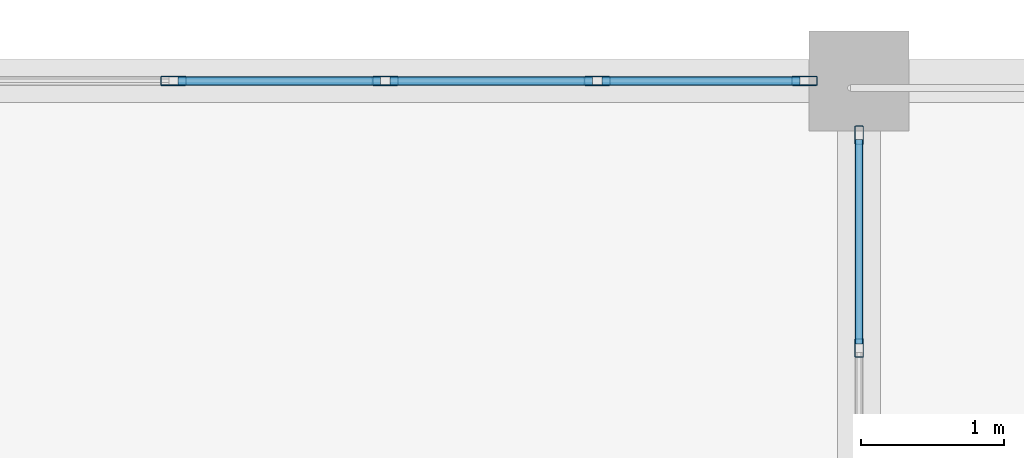
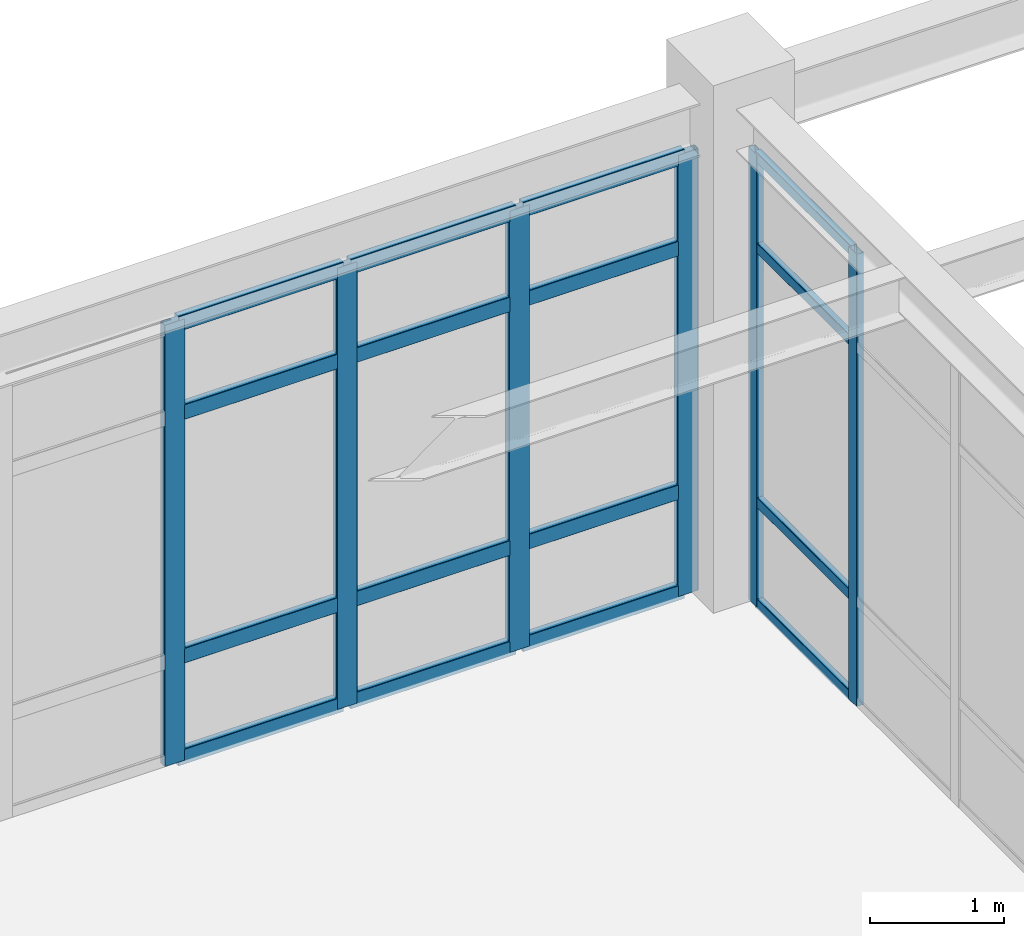
# One storey, part 66 of 98: 22 members, 2 elements without a shape of their own.
"""IFC4 building model written with IfcOpenShell, lengths in metres."""

from ifc_helpers import new_model, si_unit, direction, frame, origin, origin_2d, place, context, subcontext, project, spatial, hollow_rectangle, extrude, material, material_profile, profile_set, type_object, element, aggregate, save


model = new_model("IFC4")

# Units and contexts
model_context = context("Model", 3, precision=1e-05, world=origin(), true_north=direction((0.0, 1.0)))
body_context = subcontext(model_context, "Body", "Model", "MODEL_VIEW")
ifc_project = project(units=[si_unit("LENGTHUNIT", "METRE"), si_unit("AREAUNIT", "SQUARE_METRE"), si_unit("VOLUMEUNIT", "CUBIC_METRE"), si_unit("PLANEANGLEUNIT", "RADIAN"), si_unit("MASSUNIT", "GRAM", prefix="KILO")], contexts=[model_context])

# Site, building, storey
site_placement = place(None, origin())
site = spatial("IfcSite", under=ifc_project, at=site_placement, CompositionType="ELEMENT")
building_placement = place(site_placement, origin())
building = spatial("IfcBuilding", under=site, at=building_placement, Name="Canglan Escarpment Cableway Terminal", CompositionType="ELEMENT")
storey_placement = place(building_placement, frame((0.0, 0.0, 9.60009765625)))
storey = spatial("IfcBuildingStorey", under=building, at=storey_placement, Name="L02", CompositionType="ELEMENT", Elevation=9.60009765625)

# Curtain wall, members
ifc_material_1 = material(Name="Anodized bronze aluminium and Low-E double glazing", Category="aluminium")
curtain_wall_type_1 = type_object("IfcCurtainWallType", Name="CW-BAY-7600x4125", PredefinedType="NOTDEFINED", material=ifc_material_1)
curtain_wall_1_placement = place(storey_placement, origin())
curtain_wall_1 = element("IfcCurtainWall", 1, at=curtain_wall_1_placement, inside=storey, type_object=curtain_wall_type_1, Name="Classical bay-between-piers glazed curtain wall CW-23", PredefinedType="NOTDEFINED")
ifc_material_2 = material(Name="Thermally broken anodized aluminium 6063-T6", Category="aluminium")
ifc_material_profile_1 = material_profile(ifc_material_2, hollow_rectangle(XDim=0.06005859375, YDim=0.1298828125, WallThickness=0.0029296875, InnerFilletRadius=0.0029296875, OuterFilletRadius=0.006103515625, at=origin_2d()), Name="ALU-MULL 60x130x3")
ifc_profile_set_1 = profile_set([ifc_material_profile_1], Name="Thermally broken anodized aluminium 6063-T6")
member_type_1 = type_object("IfcMemberType", Name="CWM-01", PredefinedType="MULLION", material=ifc_profile_set_1)
member_1_placement = place(storey_placement, frame((166.39990234375, 31.22998046875, 0.0), z_axis=(0.0, 0.0, 1.0), x_axis=(-1.0, 0.0, 0.0)))
member_1 = element("IfcMember", 2, at=member_1_placement, type_object=member_type_1, Name="CW-23 mullion 5", PredefinedType="MULLION", context=body_context, shape_type="SweptSolid", body=[
    extrude(hollow_rectangle(XDim=0.06005859375, YDim=0.1298828125, WallThickness=0.0029296875, InnerFilletRadius=0.0029296875, OuterFilletRadius=0.006103515625, at=origin_2d()), origin(), (0.0, 0.0, 1.0), 4.114990234375),
])
member_2_placement = place(storey_placement, frame((166.39990234375, 32.719970703125, 0.0), z_axis=(0.0, 0.0, 1.0), x_axis=(-1.0, 0.0, 0.0)))
member_2 = element("IfcMember", 3, at=member_2_placement, type_object=member_type_1, Name="CW-23 mullion 6", PredefinedType="MULLION", context=body_context, shape_type="SweptSolid", body=[
    extrude(hollow_rectangle(XDim=0.06005859375, YDim=0.1298828125, WallThickness=0.0029296875, InnerFilletRadius=0.0029296875, OuterFilletRadius=0.006103515625, at=origin_2d()), origin(), (0.0, 0.0, 1.0), 4.114990234375),
])

curtain_wall_type_2 = type_object("IfcCurtainWallType", Name="CW-BAY-8900x4025", PredefinedType="NOTDEFINED", material=ifc_material_1)
curtain_wall_2_placement = place(storey_placement, origin())
curtain_wall_2 = element("IfcCurtainWall", 4, at=curtain_wall_2_placement, inside=storey, type_object=curtain_wall_type_2, Name="Classical bay-between-piers glazed curtain wall CW-28", PredefinedType="NOTDEFINED")
ifc_material_profile_2 = material_profile(ifc_material_2, hollow_rectangle(XDim=0.06494140625, YDim=0.179931640625, WallThickness=0.00390625, InnerFilletRadius=0.00390625, OuterFilletRadius=0.008056640625, at=origin_2d()), Name="ALU-MULL 65x180x4")
ifc_profile_set_2 = profile_set([ifc_material_profile_2], Name="Thermally broken anodized aluminium 6063-T6")
member_type_2 = type_object("IfcMemberType", Name="CWM-03", PredefinedType="MULLION", material=ifc_profile_set_2)
member_3_placement = place(storey_placement, frame((166.017578125, 33.10009765625, 0.0), z_axis=(0.0, 0.0, 1.0), x_axis=(0.0, -1.0, 0.0)))
member_3 = element("IfcMember", 5, at=member_3_placement, type_object=member_type_2, Name="CW-28 mullion 1", PredefinedType="MULLION", context=body_context, shape_type="SweptSolid", body=[
    extrude(hollow_rectangle(XDim=0.06494140625, YDim=0.179931640625, WallThickness=0.00390625, InnerFilletRadius=0.00390625, OuterFilletRadius=0.008056640625, at=origin_2d()), origin(), (0.0, 0.0, 1.0), 4.016845703125),
])
member_4_placement = place(storey_placement, frame((164.566650390625, 33.10009765625, 0.0), z_axis=(0.0, 0.0, 1.0), x_axis=(0.0, -1.0, 0.0)))
member_4 = element("IfcMember", 6, at=member_4_placement, type_object=member_type_2, Name="CW-28 mullion 2", PredefinedType="MULLION", context=body_context, shape_type="SweptSolid", body=[
    extrude(hollow_rectangle(XDim=0.06494140625, YDim=0.179931640625, WallThickness=0.00390625, InnerFilletRadius=0.00390625, OuterFilletRadius=0.008056640625, at=origin_2d()), origin(), (0.0, 0.0, 1.0), 4.016845703125),
])
member_5_placement = place(storey_placement, frame((163.083251953125, 33.10009765625, 0.0), z_axis=(0.0, 0.0, 1.0), x_axis=(0.0, -1.0, 0.0)))
member_5 = element("IfcMember", 7, at=member_5_placement, type_object=member_type_2, Name="CW-28 mullion 3", PredefinedType="MULLION", context=body_context, shape_type="SweptSolid", body=[
    extrude(hollow_rectangle(XDim=0.06494140625, YDim=0.179931640625, WallThickness=0.00390625, InnerFilletRadius=0.00390625, OuterFilletRadius=0.008056640625, at=origin_2d()), origin(), (0.0, 0.0, 1.0), 4.016845703125),
])
member_6_placement = place(storey_placement, frame((161.60009765625, 33.10009765625, 0.0), z_axis=(0.0, 0.0, 1.0), x_axis=(0.0, -1.0, 0.0)))
member_6 = element("IfcMember", 8, at=member_6_placement, type_object=member_type_2, Name="CW-28 mullion 4", PredefinedType="MULLION", context=body_context, shape_type="SweptSolid", body=[
    extrude(hollow_rectangle(XDim=0.06494140625, YDim=0.179931640625, WallThickness=0.00390625, InnerFilletRadius=0.00390625, OuterFilletRadius=0.008056640625, at=origin_2d()), origin(), (0.0, 0.0, 1.0), 4.016845703125),
])

# Member
ifc_material_profile_3 = material_profile(ifc_material_2, hollow_rectangle(XDim=0.054931640625, YDim=0.094970703125, WallThickness=0.0029296875, InnerFilletRadius=0.0029296875, OuterFilletRadius=0.006103515625, at=origin_2d()), Name="ALU-TRAN 55x95x3")
ifc_profile_set_3 = profile_set([ifc_material_profile_3], Name="Thermally broken anodized aluminium 6063-T6")
member_type_3 = type_object("IfcMemberType", Name="CWT-01", PredefinedType="USERDEFINED", material=ifc_profile_set_3)
member_7_placement = place(storey_placement, frame((166.39990234375, 31.260009765625, 0.02734375), z_axis=(0.0, 1.0, 0.0), x_axis=(-1.0, 0.0, 0.0)))
member_7 = element("IfcMember", 9, at=member_7_placement, type_object=member_type_3, Name="CW-23 transom 5.1", ObjectType="TRANSOM", PredefinedType="USERDEFINED", context=body_context, shape_type="SweptSolid", body=[
    extrude(hollow_rectangle(XDim=0.054931640625, YDim=0.094970703125, WallThickness=0.0029296875, InnerFilletRadius=0.0029296875, OuterFilletRadius=0.006103515625, at=origin_2d()), origin(), (0.0, 0.0, 1.0), 1.429931640625),
])

member_8_placement = place(storey_placement, frame((166.39990234375, 31.260009765625, 0.949951171875), z_axis=(0.0, 1.0, 0.0), x_axis=(-1.0, 0.0, 0.0)))
member_8 = element("IfcMember", 10, at=member_8_placement, type_object=member_type_3, Name="CW-23 transom 5.2", ObjectType="TRANSOM", PredefinedType="USERDEFINED", context=body_context, shape_type="SweptSolid", body=[
    extrude(hollow_rectangle(XDim=0.054931640625, YDim=0.094970703125, WallThickness=0.0029296875, InnerFilletRadius=0.0029296875, OuterFilletRadius=0.006103515625, at=origin_2d()), origin(), (0.0, 0.0, 1.0), 1.429931640625),
])

member_9_placement = place(storey_placement, frame((166.39990234375, 31.260009765625, 3.264892578125), z_axis=(0.0, 1.0, 0.0), x_axis=(-1.0, 0.0, 0.0)))
member_9 = element("IfcMember", 11, at=member_9_placement, type_object=member_type_3, Name="CW-23 transom 5.3", ObjectType="TRANSOM", PredefinedType="USERDEFINED", context=body_context, shape_type="SweptSolid", body=[
    extrude(hollow_rectangle(XDim=0.054931640625, YDim=0.094970703125, WallThickness=0.0029296875, InnerFilletRadius=0.0029296875, OuterFilletRadius=0.006103515625, at=origin_2d()), origin(), (0.0, 0.0, 1.0), 1.429931640625),
])

member_10_placement = place(storey_placement, frame((166.39990234375, 31.260009765625, 4.08740234375), z_axis=(0.0, 1.0, 0.0), x_axis=(-1.0, 0.0, 0.0)))
member_10 = element("IfcMember", 12, at=member_10_placement, type_object=member_type_3, Name="CW-23 transom 5.4", ObjectType="TRANSOM", PredefinedType="USERDEFINED", context=body_context, shape_type="SweptSolid", body=[
    extrude(hollow_rectangle(XDim=0.054931640625, YDim=0.094970703125, WallThickness=0.0029296875, InnerFilletRadius=0.0029296875, OuterFilletRadius=0.006103515625, at=origin_2d()), origin(), (0.0, 0.0, 1.0), 1.429931640625),
])

aggregate(curtain_wall_1, [member_1, member_2, member_7, member_8, member_9, member_10])

ifc_material_profile_4 = material_profile(ifc_material_2, hollow_rectangle(XDim=0.06494140625, YDim=0.139892578125, WallThickness=0.00341796875, InnerFilletRadius=0.00341796875, OuterFilletRadius=0.007080078125, at=origin_2d()), Name="ALU-TRAN 65x140x3.5")
ifc_profile_set_4 = profile_set([ifc_material_profile_4], Name="Thermally broken anodized aluminium 6063-T6")
member_type_4 = type_object("IfcMemberType", Name="CWT-03", PredefinedType="USERDEFINED", material=ifc_profile_set_4)
member_11_placement = place(storey_placement, frame((165.985107421875, 33.10009765625, 0.032470703125), z_axis=(-1.0, 0.0, 0.0), x_axis=(0.0, -1.0, 0.0)))
member_11 = element("IfcMember", 13, at=member_11_placement, type_object=member_type_4, Name="CW-28 transom 1.1", ObjectType="TRANSOM", PredefinedType="USERDEFINED", context=body_context, shape_type="SweptSolid", body=[
    extrude(hollow_rectangle(XDim=0.06494140625, YDim=0.139892578125, WallThickness=0.00341796875, InnerFilletRadius=0.00341796875, OuterFilletRadius=0.007080078125, at=origin_2d()), origin(), (0.0, 0.0, 1.0), 1.385986328125),
])

member_12_placement = place(storey_placement, frame((165.985107421875, 33.10009765625, 0.949951171875), z_axis=(-1.0, 0.0, 0.0), x_axis=(0.0, -1.0, 0.0)))
member_12 = element("IfcMember", 14, at=member_12_placement, type_object=member_type_4, Name="CW-28 transom 1.2", ObjectType="TRANSOM", PredefinedType="USERDEFINED", context=body_context, shape_type="SweptSolid", body=[
    extrude(hollow_rectangle(XDim=0.06494140625, YDim=0.139892578125, WallThickness=0.00341796875, InnerFilletRadius=0.00341796875, OuterFilletRadius=0.007080078125, at=origin_2d()), origin(), (0.0, 0.0, 1.0), 1.385986328125),
])

member_13_placement = place(storey_placement, frame((165.985107421875, 33.10009765625, 3.1669921875), z_axis=(-1.0, 0.0, 0.0), x_axis=(0.0, -1.0, 0.0)))
member_13 = element("IfcMember", 15, at=member_13_placement, type_object=member_type_4, Name="CW-28 transom 1.3", ObjectType="TRANSOM", PredefinedType="USERDEFINED", context=body_context, shape_type="SweptSolid", body=[
    extrude(hollow_rectangle(XDim=0.06494140625, YDim=0.139892578125, WallThickness=0.00341796875, InnerFilletRadius=0.00341796875, OuterFilletRadius=0.007080078125, at=origin_2d()), origin(), (0.0, 0.0, 1.0), 1.385986328125),
])

member_14_placement = place(storey_placement, frame((165.985107421875, 33.10009765625, 3.984375), z_axis=(-1.0, 0.0, 0.0), x_axis=(0.0, -1.0, 0.0)))
member_14 = element("IfcMember", 16, at=member_14_placement, type_object=member_type_4, Name="CW-28 transom 1.4", ObjectType="TRANSOM", PredefinedType="USERDEFINED", context=body_context, shape_type="SweptSolid", body=[
    extrude(hollow_rectangle(XDim=0.06494140625, YDim=0.139892578125, WallThickness=0.00341796875, InnerFilletRadius=0.00341796875, OuterFilletRadius=0.007080078125, at=origin_2d()), origin(), (0.0, 0.0, 1.0), 1.385986328125),
])

member_15_placement = place(storey_placement, frame((164.5341796875, 33.10009765625, 0.032470703125), z_axis=(-1.0, 0.0, 0.0), x_axis=(0.0, -1.0, 0.0)))
member_15 = element("IfcMember", 17, at=member_15_placement, type_object=member_type_4, Name="CW-28 transom 2.1", ObjectType="TRANSOM", PredefinedType="USERDEFINED", context=body_context, shape_type="SweptSolid", body=[
    extrude(hollow_rectangle(XDim=0.06494140625, YDim=0.139892578125, WallThickness=0.00341796875, InnerFilletRadius=0.00341796875, OuterFilletRadius=0.007080078125, at=origin_2d()), origin(), (0.0, 0.0, 1.0), 1.41845703125),
])

member_16_placement = place(storey_placement, frame((164.5341796875, 33.10009765625, 0.949951171875), z_axis=(-1.0, 0.0, 0.0), x_axis=(0.0, -1.0, 0.0)))
member_16 = element("IfcMember", 18, at=member_16_placement, type_object=member_type_4, Name="CW-28 transom 2.2", ObjectType="TRANSOM", PredefinedType="USERDEFINED", context=body_context, shape_type="SweptSolid", body=[
    extrude(hollow_rectangle(XDim=0.06494140625, YDim=0.139892578125, WallThickness=0.00341796875, InnerFilletRadius=0.00341796875, OuterFilletRadius=0.007080078125, at=origin_2d()), origin(), (0.0, 0.0, 1.0), 1.41845703125),
])

member_17_placement = place(storey_placement, frame((164.5341796875, 33.10009765625, 3.1669921875), z_axis=(-1.0, 0.0, 0.0), x_axis=(0.0, -1.0, 0.0)))
member_17 = element("IfcMember", 19, at=member_17_placement, type_object=member_type_4, Name="CW-28 transom 2.3", ObjectType="TRANSOM", PredefinedType="USERDEFINED", context=body_context, shape_type="SweptSolid", body=[
    extrude(hollow_rectangle(XDim=0.06494140625, YDim=0.139892578125, WallThickness=0.00341796875, InnerFilletRadius=0.00341796875, OuterFilletRadius=0.007080078125, at=origin_2d()), origin(), (0.0, 0.0, 1.0), 1.41845703125),
])

member_18_placement = place(storey_placement, frame((164.5341796875, 33.10009765625, 3.984375), z_axis=(-1.0, 0.0, 0.0), x_axis=(0.0, -1.0, 0.0)))
member_18 = element("IfcMember", 20, at=member_18_placement, type_object=member_type_4, Name="CW-28 transom 2.4", ObjectType="TRANSOM", PredefinedType="USERDEFINED", context=body_context, shape_type="SweptSolid", body=[
    extrude(hollow_rectangle(XDim=0.06494140625, YDim=0.139892578125, WallThickness=0.00341796875, InnerFilletRadius=0.00341796875, OuterFilletRadius=0.007080078125, at=origin_2d()), origin(), (0.0, 0.0, 1.0), 1.41845703125),
])

member_19_placement = place(storey_placement, frame((163.05078125, 33.10009765625, 0.032470703125), z_axis=(-1.0, 0.0, 0.0), x_axis=(0.0, -1.0, 0.0)))
member_19 = element("IfcMember", 21, at=member_19_placement, type_object=member_type_4, Name="CW-28 transom 3.1", ObjectType="TRANSOM", PredefinedType="USERDEFINED", context=body_context, shape_type="SweptSolid", body=[
    extrude(hollow_rectangle(XDim=0.06494140625, YDim=0.139892578125, WallThickness=0.00341796875, InnerFilletRadius=0.00341796875, OuterFilletRadius=0.007080078125, at=origin_2d()), origin(), (0.0, 0.0, 1.0), 1.418212890625),
])

member_20_placement = place(storey_placement, frame((163.05078125, 33.10009765625, 0.949951171875), z_axis=(-1.0, 0.0, 0.0), x_axis=(0.0, -1.0, 0.0)))
member_20 = element("IfcMember", 22, at=member_20_placement, type_object=member_type_4, Name="CW-28 transom 3.2", ObjectType="TRANSOM", PredefinedType="USERDEFINED", context=body_context, shape_type="SweptSolid", body=[
    extrude(hollow_rectangle(XDim=0.06494140625, YDim=0.139892578125, WallThickness=0.00341796875, InnerFilletRadius=0.00341796875, OuterFilletRadius=0.007080078125, at=origin_2d()), origin(), (0.0, 0.0, 1.0), 1.418212890625),
])

member_21_placement = place(storey_placement, frame((163.05078125, 33.10009765625, 3.1669921875), z_axis=(-1.0, 0.0, 0.0), x_axis=(0.0, -1.0, 0.0)))
member_21 = element("IfcMember", 23, at=member_21_placement, type_object=member_type_4, Name="CW-28 transom 3.3", ObjectType="TRANSOM", PredefinedType="USERDEFINED", context=body_context, shape_type="SweptSolid", body=[
    extrude(hollow_rectangle(XDim=0.06494140625, YDim=0.139892578125, WallThickness=0.00341796875, InnerFilletRadius=0.00341796875, OuterFilletRadius=0.007080078125, at=origin_2d()), origin(), (0.0, 0.0, 1.0), 1.418212890625),
])

member_22_placement = place(storey_placement, frame((163.05078125, 33.10009765625, 3.984375), z_axis=(-1.0, 0.0, 0.0), x_axis=(0.0, -1.0, 0.0)))
member_22 = element("IfcMember", 24, at=member_22_placement, type_object=member_type_4, Name="CW-28 transom 3.4", ObjectType="TRANSOM", PredefinedType="USERDEFINED", context=body_context, shape_type="SweptSolid", body=[
    extrude(hollow_rectangle(XDim=0.06494140625, YDim=0.139892578125, WallThickness=0.00341796875, InnerFilletRadius=0.00341796875, OuterFilletRadius=0.007080078125, at=origin_2d()), origin(), (0.0, 0.0, 1.0), 1.418212890625),
])

aggregate(curtain_wall_2, [member_3, member_4, member_5, member_6, member_11, member_12, member_13, member_14, member_15, member_16, member_17, member_18, member_19, member_20, member_21, member_22])

save(model, "model.ifc")
